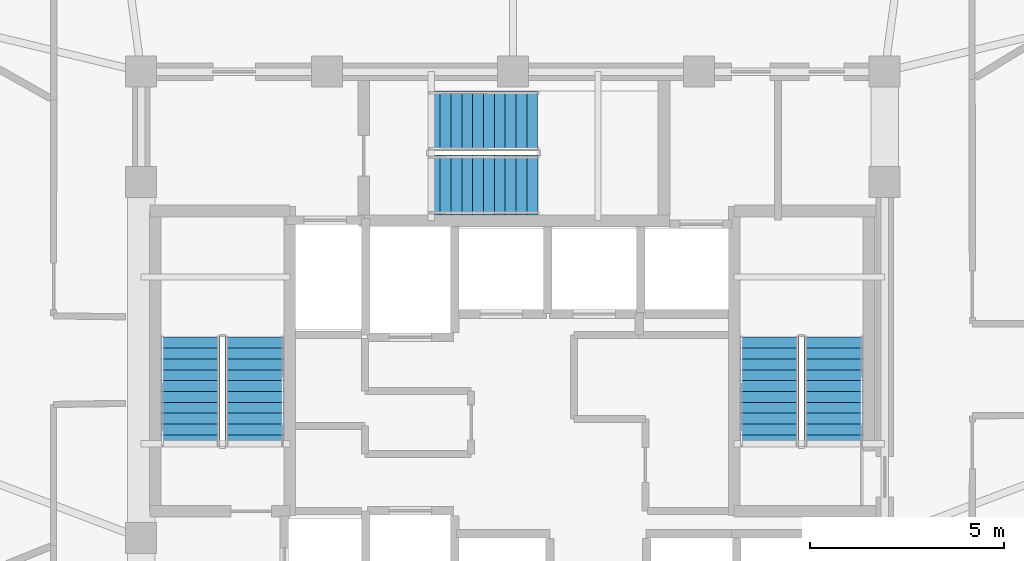
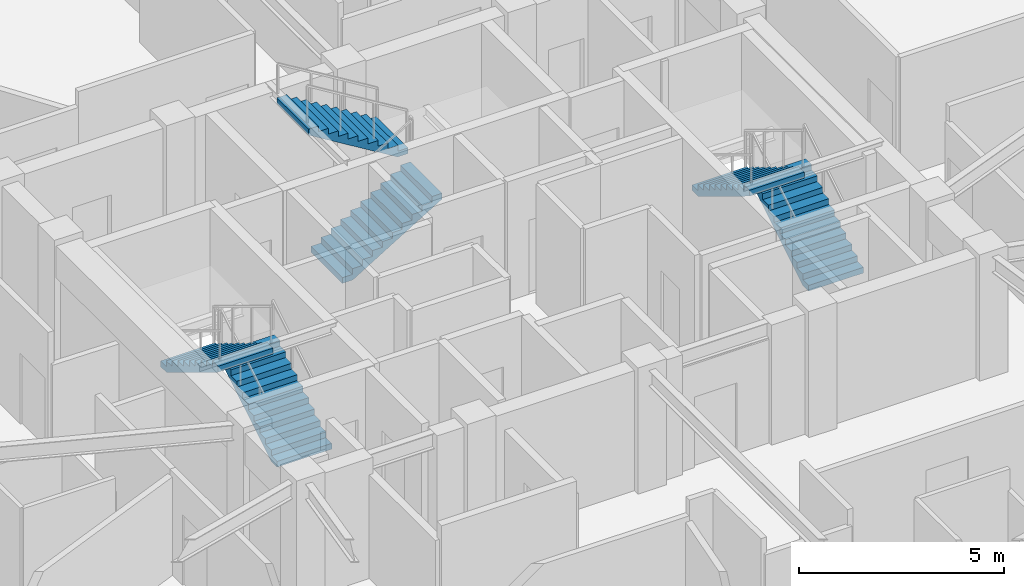
# One storey, part 24 of 28: 6 stair flights, 3 elements without a shape of their own.
"""IFC4 building model written with IfcOpenShell, lengths in metres."""

from ifc_helpers import new_model, si_unit, direction, frame, origin, place, context, subcontext, project, spatial, polyline, outline, extrude, material, type_object, element, aggregate, save


model = new_model("IFC4")

# Units and contexts
model_context = context("Model", 3, precision=1e-05, world=origin(), true_north=direction((0.0, 1.0)))
body_context = subcontext(model_context, "Body", "Model", "MODEL_VIEW")
ifc_project = project(units=[si_unit("LENGTHUNIT", "METRE"), si_unit("AREAUNIT", "SQUARE_METRE"), si_unit("VOLUMEUNIT", "CUBIC_METRE"), si_unit("PLANEANGLEUNIT", "RADIAN"), si_unit("MASSUNIT", "GRAM", prefix="KILO")], contexts=[model_context])

# Site, building, storey
site_placement = place(None, origin())
site = spatial("IfcSite", under=ifc_project, at=site_placement, CompositionType="ELEMENT")
building_placement = place(site_placement, origin())
building = spatial("IfcBuilding", under=site, at=building_placement, Name="Vantalir Tower", CompositionType="ELEMENT")
storey_placement = place(building_placement, frame((0.0, 0.0, 246.14990234375)))
storey = spatial("IfcBuildingStorey", under=building, at=storey_placement, Name="L62", CompositionType="ELEMENT", Elevation=246.14990234375)

# Stair, stair flights
ifc_material = material(Name="Concrete C40/50", Category="concrete")
stair_type = type_object("IfcStairType", Name="STR-CORE-1450", PredefinedType="HALF_TURN_STAIR", material=ifc_material)
stair_1_placement = place(storey_placement, origin())
stair_1 = element("IfcStair", 1, at=stair_1_placement, inside=storey, type_object=stair_type, Name="L62 Core Exit Stair 1", PredefinedType="HALF_TURN_STAIR")
stair_flight_type = type_object("IfcStairFlightType", Name="FLT-CORE-1450", PredefinedType="STRAIGHT", material=ifc_material)
stair_flight_1_placement = place(storey_placement, frame((24.830078125, 22.7900390625, 0.0), z_axis=(0.0, 0.0, 1.0), x_axis=(0.0, 1.0, 0.0)))
stair_flight_1 = element("IfcStairFlight", 2, at=stair_flight_1_placement, type_object=stair_flight_type, Name="ST1 flight 1", NumberOfRisers=11, NumberOfTreads=10, PredefinedType="STRAIGHT", RiserHeight=0.170454545, TreadLength=0.28, context=body_context, shape_type="SweptSolid", body=[
    extrude(outline(polyline([(0.0, 0.0), (0.0, 0.17041015625), (0.280029296875, 0.17041015625), (0.280029296875, 0.3408203125), (0.56005859375, 0.3408203125), (0.56005859375, 0.511474609375), (0.840087890625, 0.511474609375), (0.840087890625, 0.681884765625), (1.1201171875, 0.681884765625), (1.1201171875, 0.852294921875), (1.39990234375, 0.852294921875), (1.39990234375, 1.022705078125), (1.679931640625, 1.022705078125), (1.679931640625, 1.193115234375), (1.9599609375, 1.193115234375), (1.9599609375, 1.363525390625), (2.239990234375, 1.363525390625), (2.239990234375, 1.5341796875), (2.52001953125, 1.5341796875), (2.52001953125, 1.70458984375), (2.800048828125, 1.70458984375), (2.800048828125, 1.875), (2.800048828125, 1.529052734375), (0.288330078125, 0.0), (0.0, 0.0)])), frame((0.0, 0.77001953125, 0.0), z_axis=(0.0, -1.0, 0.0), x_axis=(1.0, 0.0, 0.0)), (0.0, 0.0, 1.0), 1.5400390625),
])
stair_flight_2_placement = place(storey_placement, frame((23.169921875, 25.590087890625, 1.875), z_axis=(0.0, 0.0, 1.0), x_axis=(0.0, -1.0, 0.0)))
stair_flight_2 = element("IfcStairFlight", 3, at=stair_flight_2_placement, type_object=stair_flight_type, Name="ST1 flight 2", NumberOfRisers=11, NumberOfTreads=10, PredefinedType="STRAIGHT", RiserHeight=0.170454545, TreadLength=0.28, context=body_context, shape_type="SweptSolid", body=[
    extrude(outline(polyline([(0.0, 0.0), (0.0, 0.17041015625), (0.280029296875, 0.17041015625), (0.280029296875, 0.3408203125), (0.56005859375, 0.3408203125), (0.56005859375, 0.511474609375), (0.840087890625, 0.511474609375), (0.840087890625, 0.681884765625), (1.1201171875, 0.681884765625), (1.1201171875, 0.852294921875), (1.39990234375, 0.852294921875), (1.39990234375, 1.022705078125), (1.679931640625, 1.022705078125), (1.679931640625, 1.193115234375), (1.9599609375, 1.193115234375), (1.9599609375, 1.363525390625), (2.239990234375, 1.363525390625), (2.239990234375, 1.5341796875), (2.52001953125, 1.5341796875), (2.52001953125, 1.70458984375), (2.800048828125, 1.70458984375), (2.800048828125, 1.875), (2.800048828125, 1.529052734375), (0.288330078125, 0.0), (0.0, 0.0)])), frame((0.0, 0.77001953125, 0.0), z_axis=(0.0, -1.0, 0.0), x_axis=(1.0, 0.0, 0.0)), (0.0, 0.0, 1.0), 1.5400390625),
])
aggregate(stair_1, [stair_flight_1, stair_flight_2])

stair_2_placement = place(storey_placement, origin())
stair_2 = element("IfcStair", 4, at=stair_2_placement, inside=storey, type_object=stair_type, Name="L62 Core Exit Stair 2", PredefinedType="HALF_TURN_STAIR")
stair_flight_3_placement = place(storey_placement, frame((39.780029296875, 22.7900390625, 0.0), z_axis=(0.0, 0.0, 1.0), x_axis=(0.0, 1.0, 0.0)))
stair_flight_3 = element("IfcStairFlight", 5, at=stair_flight_3_placement, type_object=stair_flight_type, Name="ST2 flight 1", NumberOfRisers=11, NumberOfTreads=10, PredefinedType="STRAIGHT", RiserHeight=0.170454545, TreadLength=0.28, context=body_context, shape_type="SweptSolid", body=[
    extrude(outline(polyline([(0.0, 0.0), (0.0, 0.17041015625), (0.280029296875, 0.17041015625), (0.280029296875, 0.3408203125), (0.56005859375, 0.3408203125), (0.56005859375, 0.511474609375), (0.840087890625, 0.511474609375), (0.840087890625, 0.681884765625), (1.1201171875, 0.681884765625), (1.1201171875, 0.852294921875), (1.39990234375, 0.852294921875), (1.39990234375, 1.022705078125), (1.679931640625, 1.022705078125), (1.679931640625, 1.193115234375), (1.9599609375, 1.193115234375), (1.9599609375, 1.363525390625), (2.239990234375, 1.363525390625), (2.239990234375, 1.5341796875), (2.52001953125, 1.5341796875), (2.52001953125, 1.70458984375), (2.800048828125, 1.70458984375), (2.800048828125, 1.875), (2.800048828125, 1.529052734375), (0.288330078125, 0.0), (0.0, 0.0)])), frame((0.0, 0.77001953125, 0.0), z_axis=(0.0, -1.0, 0.0), x_axis=(1.0, 0.0, 0.0)), (0.0, 0.0, 1.0), 1.5400390625),
])
stair_flight_4_placement = place(storey_placement, frame((38.1201171875, 25.590087890625, 1.875), z_axis=(0.0, 0.0, 1.0), x_axis=(0.0, -1.0, 0.0)))
stair_flight_4 = element("IfcStairFlight", 6, at=stair_flight_4_placement, type_object=stair_flight_type, Name="ST2 flight 2", NumberOfRisers=11, NumberOfTreads=10, PredefinedType="STRAIGHT", RiserHeight=0.170454545, TreadLength=0.28, context=body_context, shape_type="SweptSolid", body=[
    extrude(outline(polyline([(0.0, 0.0), (0.0, 0.17041015625), (0.280029296875, 0.17041015625), (0.280029296875, 0.3408203125), (0.56005859375, 0.3408203125), (0.56005859375, 0.511474609375), (0.840087890625, 0.511474609375), (0.840087890625, 0.681884765625), (1.1201171875, 0.681884765625), (1.1201171875, 0.852294921875), (1.39990234375, 0.852294921875), (1.39990234375, 1.022705078125), (1.679931640625, 1.022705078125), (1.679931640625, 1.193115234375), (1.9599609375, 1.193115234375), (1.9599609375, 1.363525390625), (2.239990234375, 1.363525390625), (2.239990234375, 1.5341796875), (2.52001953125, 1.5341796875), (2.52001953125, 1.70458984375), (2.800048828125, 1.70458984375), (2.800048828125, 1.875), (2.800048828125, 1.529052734375), (0.288330078125, 0.0), (0.0, 0.0)])), frame((0.0, 0.77001953125, 0.0), z_axis=(0.0, -1.0, 0.0), x_axis=(1.0, 0.0, 0.0)), (0.0, 0.0, 1.0), 1.5400390625),
])
aggregate(stair_2, [stair_flight_3, stair_flight_4])

stair_3_placement = place(storey_placement, origin())
stair_3 = element("IfcStair", 7, at=stair_3_placement, inside=storey, type_object=stair_type, Name="L62 Core Exit Stair 3", PredefinedType="HALF_TURN_STAIR")
stair_flight_5_placement = place(storey_placement, frame((29.340087890625, 29.52001953125, 0.0), z_axis=(0.0, 0.0, 1.0), x_axis=(1.0, 0.0, 0.0)))
stair_flight_5 = element("IfcStairFlight", 8, at=stair_flight_5_placement, type_object=stair_flight_type, Name="ST3 flight 1", NumberOfRisers=11, NumberOfTreads=10, PredefinedType="STRAIGHT", RiserHeight=0.170454545, TreadLength=0.28, context=body_context, shape_type="SweptSolid", body=[
    extrude(outline(polyline([(0.0, 0.0), (0.0, 0.17041015625), (0.280029296875, 0.17041015625), (0.280029296875, 0.3408203125), (0.56005859375, 0.3408203125), (0.56005859375, 0.511474609375), (0.840087890625, 0.511474609375), (0.840087890625, 0.681884765625), (1.1201171875, 0.681884765625), (1.1201171875, 0.852294921875), (1.39990234375, 0.852294921875), (1.39990234375, 1.022705078125), (1.679931640625, 1.022705078125), (1.679931640625, 1.193115234375), (1.9599609375, 1.193115234375), (1.9599609375, 1.363525390625), (2.239990234375, 1.363525390625), (2.239990234375, 1.5341796875), (2.52001953125, 1.5341796875), (2.52001953125, 1.70458984375), (2.800048828125, 1.70458984375), (2.800048828125, 1.875), (2.800048828125, 1.529052734375), (0.288330078125, 0.0), (0.0, 0.0)])), frame((0.0, 0.77001953125, 0.0), z_axis=(0.0, -1.0, 0.0), x_axis=(1.0, 0.0, 0.0)), (0.0, 0.0, 1.0), 1.5400390625),
])
stair_flight_6_placement = place(storey_placement, frame((32.139892578125, 31.179931640625, 1.875), z_axis=(0.0, 0.0, 1.0), x_axis=(-1.0, 0.0, 0.0)))
stair_flight_6 = element("IfcStairFlight", 9, at=stair_flight_6_placement, type_object=stair_flight_type, Name="ST3 flight 2", NumberOfRisers=11, NumberOfTreads=10, PredefinedType="STRAIGHT", RiserHeight=0.170454545, TreadLength=0.28, context=body_context, shape_type="SweptSolid", body=[
    extrude(outline(polyline([(0.0, 0.0), (0.0, 0.17041015625), (0.280029296875, 0.17041015625), (0.280029296875, 0.3408203125), (0.56005859375, 0.3408203125), (0.56005859375, 0.511474609375), (0.840087890625, 0.511474609375), (0.840087890625, 0.681884765625), (1.1201171875, 0.681884765625), (1.1201171875, 0.852294921875), (1.39990234375, 0.852294921875), (1.39990234375, 1.022705078125), (1.679931640625, 1.022705078125), (1.679931640625, 1.193115234375), (1.9599609375, 1.193115234375), (1.9599609375, 1.363525390625), (2.239990234375, 1.363525390625), (2.239990234375, 1.5341796875), (2.52001953125, 1.5341796875), (2.52001953125, 1.70458984375), (2.800048828125, 1.70458984375), (2.800048828125, 1.875), (2.800048828125, 1.529052734375), (0.288330078125, 0.0), (0.0, 0.0)])), frame((0.0, 0.77001953125, 0.0), z_axis=(0.0, -1.0, 0.0), x_axis=(1.0, 0.0, 0.0)), (0.0, 0.0, 1.0), 1.5400390625),
])
aggregate(stair_3, [stair_flight_5, stair_flight_6])

save(model, "model.ifc")
